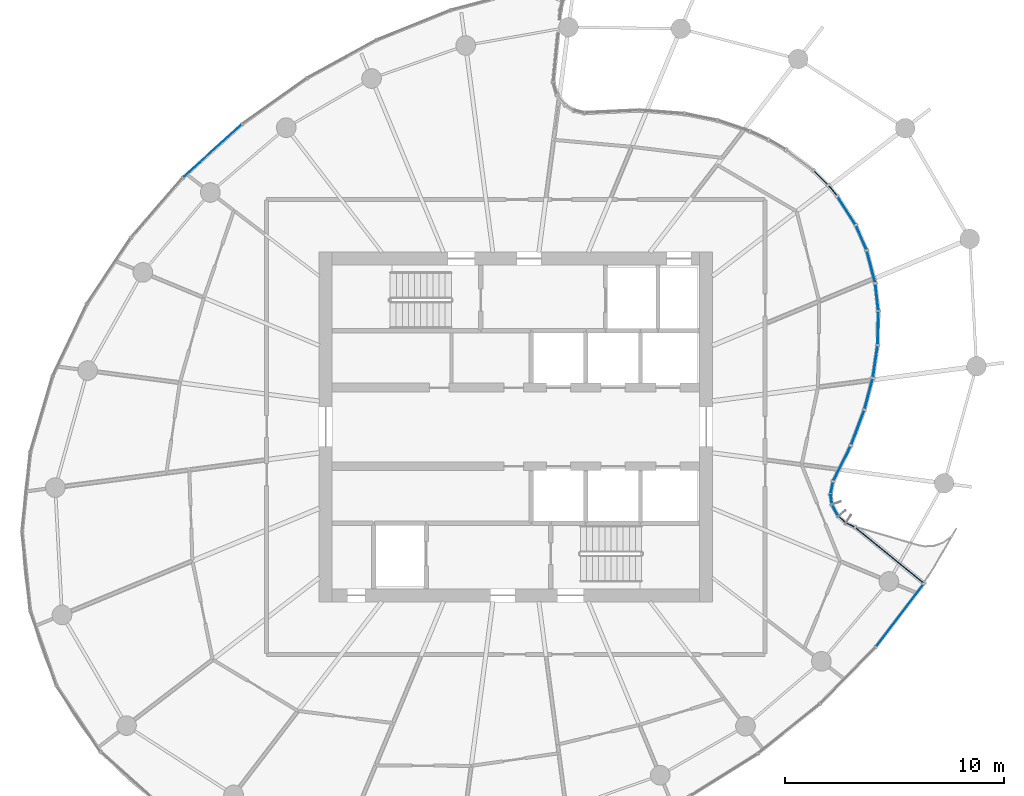
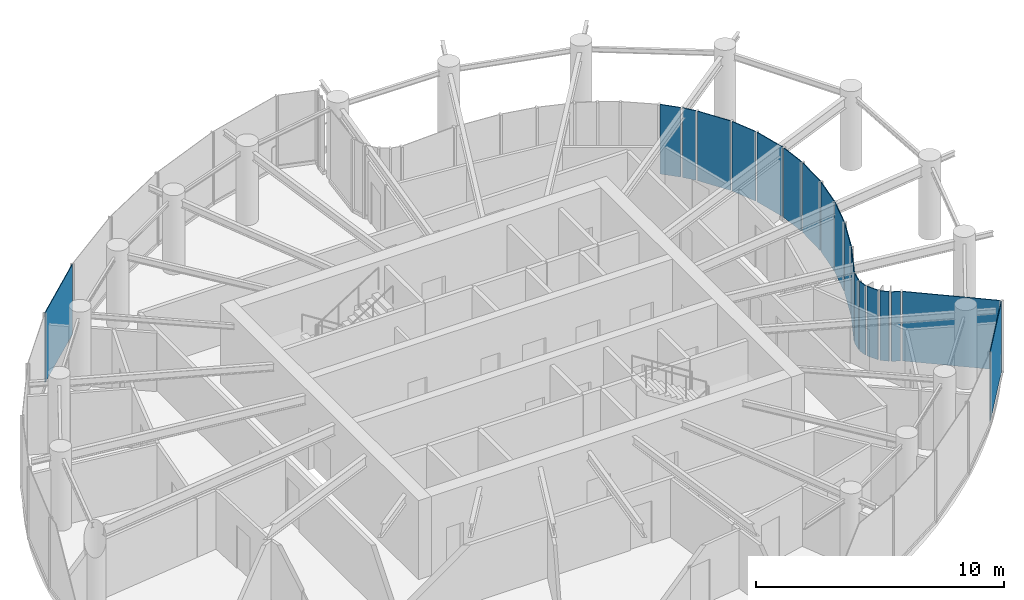
# One storey, part 10 of 17: 19 plates, 5 elements without a shape of their own.
"""IFC4 building model written with IfcOpenShell, lengths in metres."""

from ifc_helpers import new_model, si_unit, direction, frame, origin, origin_2d, place, context, subcontext, project, spatial, rectangle, extrude, source, transform, mapped, material, layer, layer_set, type_object, element, aggregate, save


model = new_model("IFC4")

# Units and contexts
model_context = context("Model", 3, precision=1e-05, world=origin(), true_north=direction((0.0, 1.0)))
body_context = subcontext(model_context, "Body", "Model", "MODEL_VIEW")
ifc_project = project(units=[si_unit("LENGTHUNIT", "METRE"), si_unit("AREAUNIT", "SQUARE_METRE"), si_unit("VOLUMEUNIT", "CUBIC_METRE"), si_unit("PLANEANGLEUNIT", "RADIAN"), si_unit("MASSUNIT", "GRAM", prefix="KILO")], contexts=[model_context])

# Site, building, storey
site_placement = place(None, origin())
site = spatial("IfcSite", under=ifc_project, at=site_placement, CompositionType="ELEMENT")
building_placement = place(site_placement, origin())
building = spatial("IfcBuilding", under=site, at=building_placement, Name="Spindrift Exchange Tower", CompositionType="ELEMENT")
storey_placement = place(building_placement, frame((0.0, 0.0, 187.699951171875)))
storey = spatial("IfcBuildingStorey", under=building, at=storey_placement, Name="L45", CompositionType="ELEMENT", Elevation=187.699951171875)

# Curtain wall, plate
ifc_material_1 = material(Name="Fritted laminated glass with bronze frame", Category="glass")
ifc_layer_1 = layer(ifc_material_1, 0.199951171875)
ifc_layer_set_1 = layer_set([ifc_layer_1], Name="SKY GARDEN BRONZE GLAZED WALL")
curtain_wall_type_1 = type_object("IfcCurtainWallType", Name="SKY GARDEN BRONZE GLAZED WALL", PredefinedType="NOTDEFINED", material=ifc_layer_set_1)
curtain_wall_1_placement = place(storey_placement, origin())
curtain_wall_1 = element("IfcCurtainWall", 1, at=curtain_wall_1_placement, inside=storey, type_object=curtain_wall_type_1, Name="L45 Sky Garden Bronze Glazed Wall run 6", PredefinedType="NOTDEFINED")
ifc_material_2 = material(Name="Bronze tinted laminated glass, clear vision", Category="glass")
ifc_layer_2 = layer(ifc_material_2, 0.0380859375)
ifc_layer_set_2 = layer_set([ifc_layer_2], Name="SKY GARDEN BRONZE GLAZED WALL PANEL CLEAR 1560")
plate_type_1 = type_object("IfcPlateType", Name="SKY GARDEN BRONZE GLAZED WALL PANEL CLEAR 1560", PredefinedType="CURTAIN_PANEL", material=ifc_layer_set_2)
shared_shape_1 = source(origin(), body_context, "Body", "SweptSolid", [
    extrude(rectangle(XDim=3.998779296875, YDim=0.0380859375, at=origin_2d()), origin(), (0.0, 0.0, 1.0), 3.429931640625),
])
plate_1_placement = place(storey_placement, frame((69.08837890625, 42.1279296875, 0.14990234375), z_axis=(0.0, 0.0, 1.0), x_axis=(-0.774226975678, 0.632908042398, 0.0)))
plate_1 = element("IfcPlate", 2, at=plate_1_placement, type_object=plate_type_1, Name="L45 panel CW-G.26", PredefinedType="CURTAIN_PANEL", context=body_context, shape_type="MappedRepresentation", body=[
    mapped(shared_shape_1, transform((0.0, 0.0, 0.0), scale=1.0)),
])

curtain_wall_2_placement = place(storey_placement, origin())
curtain_wall_2 = element("IfcCurtainWall", 3, at=curtain_wall_2_placement, inside=storey, type_object=curtain_wall_type_1, Name="L45 Sky Garden Bronze Glazed Wall run 7", PredefinedType="NOTDEFINED")
ifc_layer_3 = layer(ifc_material_2, 0.0380859375)
ifc_layer_set_3 = layer_set([ifc_layer_3], Name="SKY GARDEN BRONZE GLAZED WALL PANEL CLEAR 1920")
plate_type_2 = type_object("IfcPlateType", Name="SKY GARDEN BRONZE GLAZED WALL PANEL CLEAR 1920", PredefinedType="CURTAIN_PANEL", material=ifc_layer_set_3)
shared_shape_2 = source(origin(), body_context, "Body", "SweptSolid", [
    extrude(rectangle(XDim=1.194091796875, YDim=0.0380859375, at=origin_2d()), origin(), (0.0, 0.0, 1.0), 3.429931640625),
])
plate_2_placement = place(storey_placement, frame((68.50830078125, 53.93701171875, 0.14990234375), z_axis=(0.0, 0.0, 1.0), x_axis=(-0.110088201111, 0.993921821863, 0.0)))
plate_2 = element("IfcPlate", 4, at=plate_2_placement, type_object=plate_type_2, Name="L45 panel CW-G.37", PredefinedType="CURTAIN_PANEL", context=body_context, shape_type="MappedRepresentation", body=[
    mapped(shared_shape_2, transform((0.0, 0.0, 0.0), scale=1.0)),
])

# Plate
shared_shape_3 = source(origin(), body_context, "Body", "SweptSolid", [
    extrude(rectangle(XDim=0.374755859375, YDim=0.0380859375, at=origin_2d()), origin(), (0.0, 0.0, 1.0), 3.429931640625),
])
plate_3_placement = place(storey_placement, frame((66.9169921875, 43.768310546875, 0.14990234375), z_axis=(0.0, 0.0, 1.0), x_axis=(-0.74373780274, 0.66847145098, 0.0)))
plate_3 = element("IfcPlate", 5, at=plate_3_placement, type_object=plate_type_1, Name="L45 panel CW-G.28", PredefinedType="CURTAIN_PANEL", context=body_context, shape_type="MappedRepresentation", body=[
    mapped(shared_shape_3, transform((0.0, 0.0, 0.0), scale=1.0)),
])

plate_4_placement = place(storey_placement, frame((66.425537109375, 44.68359375, 0.14990234375), z_axis=(0.0, 0.0, 1.0), x_axis=(-0.146626887329, 0.98919187012, 0.0)))
plate_4 = element("IfcPlate", 6, at=plate_4_placement, type_object=plate_type_1, Name="L45 panel CW-G.30", PredefinedType="CURTAIN_PANEL", context=body_context, shape_type="MappedRepresentation", body=[
    mapped(shared_shape_3, transform((0.0, 0.0, 0.0), scale=1.0)),
])

shared_shape_4 = source(origin(), body_context, "Body", "SweptSolid", [
    extrude(rectangle(XDim=0.526123046875, YDim=0.0380859375, at=origin_2d()), origin(), (0.0, 0.0, 1.0), 3.429931640625),
])
plate_5_placement = place(storey_placement, frame((66.45263671875, 45.210205078125, 0.14990234375), z_axis=(0.0, 0.0, 1.0), x_axis=(0.198789821317, 0.980042145492, 0.0)))
plate_5 = element("IfcPlate", 7, at=plate_5_placement, type_object=plate_type_1, Name="L45 panel CW-G.31", PredefinedType="CURTAIN_PANEL", context=body_context, shape_type="MappedRepresentation", body=[
    mapped(shared_shape_4, transform((0.0, 0.0, 0.0), scale=1.0)),
])

# Curtain wall, plate
ifc_layer_4 = layer(ifc_material_1, 0.169921875)
ifc_layer_set_4 = layer_set([ifc_layer_4], Name="ZONE 4 BRONZE FRITTED WALL")
curtain_wall_type_2 = type_object("IfcCurtainWallType", Name="ZONE 4 BRONZE FRITTED WALL", PredefinedType="NOTDEFINED", material=ifc_layer_set_4)
curtain_wall_3_placement = place(storey_placement, origin())
curtain_wall_3 = element("IfcCurtainWall", 8, at=curtain_wall_3_placement, inside=storey, type_object=curtain_wall_type_2, Name="L45 Zone 4 Bronze Fritted Wall run 1", PredefinedType="NOTDEFINED")
ifc_material_3 = material(Name="Bronze fritted laminated glass, open frit", Category="glass")
ifc_layer_5 = layer(ifc_material_3, 0.030029296875)
ifc_layer_set_5 = layer_set([ifc_layer_5], Name="ZONE 4 BRONZE FRITTED WALL PANEL OPEN FRIT 480")
plate_type_3 = type_object("IfcPlateType", Name="ZONE 4 BRONZE FRITTED WALL PANEL OPEN FRIT 480", PredefinedType="CURTAIN_PANEL", material=ifc_layer_set_5)
shared_shape_5 = source(origin(), body_context, "Body", "SweptSolid", [
    extrude(rectangle(XDim=3.577880859375, YDim=0.030029296875, at=origin_2d()), origin(), (0.0, 0.0, 1.0), 3.455078125),
])
plate_6_placement = place(storey_placement, frame((38.125732421875, 60.621337890625, 0.125), z_axis=(0.0, 0.0, 1.0), x_axis=(-0.741905629996, -0.670504314811, 0.0)))
plate_6 = element("IfcPlate", 9, at=plate_6_placement, type_object=plate_type_3, Name="L45 panel CW-4.5", PredefinedType="CURTAIN_PANEL", context=body_context, shape_type="MappedRepresentation", body=[
    mapped(shared_shape_5, transform((0.0, 0.0, 0.0), scale=1.0)),
])
aggregate(curtain_wall_3, [plate_6])

curtain_wall_4_placement = place(storey_placement, origin())
curtain_wall_4 = element("IfcCurtainWall", 10, at=curtain_wall_4_placement, inside=storey, type_object=curtain_wall_type_2, Name="L45 Zone 4 Bronze Fritted Wall run 5", PredefinedType="NOTDEFINED")
shared_shape_6 = source(origin(), body_context, "Body", "SweptSolid", [
    extrude(rectangle(XDim=3.577392578125, YDim=0.030029296875, at=origin_2d()), origin(), (0.0, 0.0, 1.0), 3.455078125),
])
plate_7_placement = place(storey_placement, frame((69.5654296875, 39.38720703125, 0.125), z_axis=(0.0, 0.0, 1.0), x_axis=(0.606031438636, 0.795440692563, 0.0)))
plate_7 = element("IfcPlate", 11, at=plate_7_placement, type_object=plate_type_3, Name="L45 panel CW-4.25", PredefinedType="CURTAIN_PANEL", context=body_context, shape_type="MappedRepresentation", body=[
    mapped(shared_shape_6, transform((0.0, 0.0, 0.0), scale=1.0)),
])
aggregate(curtain_wall_4, [plate_7])

# Plate
shared_shape_7 = source(origin(), body_context, "Body", "SweptSolid", [
    extrude(rectangle(XDim=0.377197265625, YDim=0.0380859375, at=origin_2d()), origin(), (0.0, 0.0, 1.0), 3.429931640625),
])
plate_8_placement = place(storey_placement, frame((67.2978515625, 43.517333984375, 0.14990234375), z_axis=(0.0, 0.0, 1.0), x_axis=(-0.907356808, 0.420361300522, 0.0)))
plate_8 = element("IfcPlate", 12, at=plate_8_placement, type_object=plate_type_2, Name="L45 panel CW-G.27", PredefinedType="CURTAIN_PANEL", context=body_context, shape_type="MappedRepresentation", body=[
    mapped(shared_shape_7, transform((0.0, 0.0, 0.0), scale=1.0)),
])

ifc_layer_6 = layer(ifc_material_2, 0.0380859375)
ifc_layer_set_6 = layer_set([ifc_layer_6], Name="SKY GARDEN BRONZE GLAZED WALL PANEL CLEAR 1200")
plate_type_4 = type_object("IfcPlateType", Name="SKY GARDEN BRONZE GLAZED WALL PANEL CLEAR 1200", PredefinedType="CURTAIN_PANEL", material=ifc_layer_set_6)
shared_shape_8 = source(origin(), body_context, "Body", "SweptSolid", [
    extrude(rectangle(XDim=0.521484375, YDim=0.0380859375, at=origin_2d()), origin(), (0.0, 0.0, 1.0), 3.429931640625),
])
plate_9_placement = place(storey_placement, frame((66.602783203125, 44.18896484375, 0.14990234375), z_axis=(0.0, 0.0, 1.0), x_axis=(-0.473145926767, 0.880984070222, 0.0)))
plate_9 = element("IfcPlate", 13, at=plate_9_placement, type_object=plate_type_4, Name="L45 panel CW-G.29", PredefinedType="CURTAIN_PANEL", context=body_context, shape_type="MappedRepresentation", body=[
    mapped(shared_shape_8, transform((0.0, 0.0, 0.0), scale=1.0)),
])

aggregate(curtain_wall_1, [plate_1, plate_8, plate_3, plate_9, plate_4, plate_5])

shared_shape_9 = source(origin(), body_context, "Body", "SweptSolid", [
    extrude(rectangle(XDim=1.740966796875, YDim=0.0380859375, at=origin_2d()), origin(), (0.0, 0.0, 1.0), 3.429931640625),
])
plate_10_placement = place(storey_placement, frame((66.918701171875, 46.327880859375, 0.14990234375), z_axis=(0.0, 0.0, 1.0), x_axis=(0.443859609955, 0.896096337818, 0.0)))
plate_10 = element("IfcPlate", 14, at=plate_10_placement, type_object=plate_type_4, Name="L45 panel CW-G.32", PredefinedType="CURTAIN_PANEL", context=body_context, shape_type="MappedRepresentation", body=[
    mapped(shared_shape_9, transform((0.0, 0.0, 0.0), scale=1.0)),
])

shared_shape_10 = source(origin(), body_context, "Body", "SweptSolid", [
    extrude(rectangle(XDim=1.664794921875, YDim=0.0380859375, at=origin_2d()), origin(), (0.0, 0.0, 1.0), 3.429931640625),
])
plate_11_placement = place(storey_placement, frame((67.6337890625, 47.96435546875, 0.14990234375), z_axis=(0.0, 0.0, 1.0), x_axis=(0.354183315804, 0.93517601488, 0.0)))
plate_11 = element("IfcPlate", 15, at=plate_11_placement, type_object=plate_type_4, Name="L45 panel CW-G.33", PredefinedType="CURTAIN_PANEL", context=body_context, shape_type="MappedRepresentation", body=[
    mapped(shared_shape_10, transform((0.0, 0.0, 0.0), scale=1.0)),
])

shared_shape_11 = source(origin(), body_context, "Body", "SweptSolid", [
    extrude(rectangle(XDim=1.42041015625, YDim=0.0380859375, at=origin_2d()), origin(), (0.0, 0.0, 1.0), 3.429931640625),
])
plate_12_placement = place(storey_placement, frame((68.134765625, 49.5107421875, 0.14990234375), z_axis=(0.0, 0.0, 1.0), x_axis=(0.253865987847, 0.967239401707, 0.0)))
plate_12 = element("IfcPlate", 16, at=plate_12_placement, type_object=plate_type_2, Name="L45 panel CW-G.34", PredefinedType="CURTAIN_PANEL", context=body_context, shape_type="MappedRepresentation", body=[
    mapped(shared_shape_11, transform((0.0, 0.0, 0.0), scale=1.0)),
])

shared_shape_12 = source(origin(), body_context, "Body", "SweptSolid", [
    extrude(rectangle(XDim=1.435546875, YDim=0.0380859375, at=origin_2d()), origin(), (0.0, 0.0, 1.0), 3.429931640625),
])
plate_13_placement = place(storey_placement, frame((68.436767578125, 50.990966796875, 0.14990234375), z_axis=(0.0, 0.0, 1.0), x_axis=(0.145867199345, 0.989304179793, 0.0)))
plate_13 = element("IfcPlate", 17, at=plate_13_placement, type_object=plate_type_2, Name="L45 panel CW-G.35", PredefinedType="CURTAIN_PANEL", context=body_context, shape_type="MappedRepresentation", body=[
    mapped(shared_shape_12, transform((0.0, 0.0, 0.0), scale=1.0)),
])

shared_shape_13 = source(origin(), body_context, "Body", "SweptSolid", [
    extrude(rectangle(XDim=1.4736328125, YDim=0.0380859375, at=origin_2d()), origin(), (0.0, 0.0, 1.0), 3.429931640625),
])
plate_14_placement = place(storey_placement, frame((68.563232421875, 52.522216796875, 0.14990234375), z_axis=(0.0, 0.0, 1.0), x_axis=(0.019888460773, 0.999802205003, 0.0)))
plate_14 = element("IfcPlate", 18, at=plate_14_placement, type_object=plate_type_1, Name="L45 panel CW-G.36", PredefinedType="CURTAIN_PANEL", context=body_context, shape_type="MappedRepresentation", body=[
    mapped(shared_shape_13, transform((0.0, 0.0, 0.0), scale=1.0)),
])

aggregate(curtain_wall_2, [plate_10, plate_11, plate_12, plate_13, plate_14, plate_2])

# Curtain wall, plates
curtain_wall_5_placement = place(storey_placement, origin())
curtain_wall_5 = element("IfcCurtainWall", 19, at=curtain_wall_5_placement, inside=storey, type_object=curtain_wall_type_1, Name="L45 Sky Garden Bronze Glazed Wall run 8", PredefinedType="NOTDEFINED")
shared_shape_14 = source(origin(), body_context, "Body", "SweptSolid", [
    extrude(rectangle(XDim=1.46533203125, YDim=0.0380859375, at=origin_2d()), origin(), (0.0, 0.0, 1.0), 3.429931640625),
])
plate_15_placement = place(storey_placement, frame((68.243408203125, 55.322998046875, 0.14990234375), z_axis=(0.0, 0.0, 1.0), x_axis=(-0.251116656559, 0.967956830028, 0.0)))
plate_15 = element("IfcPlate", 20, at=plate_15_placement, type_object=plate_type_2, Name="L45 panel CW-G.38", PredefinedType="CURTAIN_PANEL", context=body_context, shape_type="MappedRepresentation", body=[
    mapped(shared_shape_14, transform((0.0, 0.0, 0.0), scale=1.0)),
])
shared_shape_15 = source(origin(), body_context, "Body", "SweptSolid", [
    extrude(rectangle(XDim=1.174560546875, YDim=0.0380859375, at=origin_2d()), origin(), (0.0, 0.0, 1.0), 3.429931640625),
])
plate_16_placement = place(storey_placement, frame((67.79931640625, 56.651611328125, 0.14990234375), z_axis=(0.0, 0.0, 1.0), x_axis=(-0.396035961477, 0.918235001085, 0.0)))
plate_16 = element("IfcPlate", 21, at=plate_16_placement, type_object=plate_type_1, Name="L45 panel CW-G.39", PredefinedType="CURTAIN_PANEL", context=body_context, shape_type="MappedRepresentation", body=[
    mapped(shared_shape_15, transform((0.0, 0.0, 0.0), scale=1.0)),
])
shared_shape_16 = source(origin(), body_context, "Body", "SweptSolid", [
    extrude(rectangle(XDim=1.488525390625, YDim=0.0380859375, at=origin_2d()), origin(), (0.0, 0.0, 1.0), 3.429931640625),
])
plate_17_placement = place(storey_placement, frame((67.1259765625, 57.892578125, 0.14990234375), z_axis=(0.0, 0.0, 1.0), x_axis=(-0.538745788704, 0.842468382287, 0.0)))
plate_17 = element("IfcPlate", 22, at=plate_17_placement, type_object=plate_type_1, Name="L45 panel CW-G.40", PredefinedType="CURTAIN_PANEL", context=body_context, shape_type="MappedRepresentation", body=[
    mapped(shared_shape_16, transform((0.0, 0.0, 0.0), scale=1.0)),
])
shared_shape_17 = source(origin(), body_context, "Body", "SweptSolid", [
    extrude(rectangle(XDim=0.5712890625, YDim=0.0380859375, at=origin_2d()), origin(), (0.0, 0.0, 1.0), 3.429931640625),
])
plate_18_placement = place(storey_placement, frame((66.491455078125, 58.806884765625, 0.14990234375), z_axis=(0.0, 0.0, 1.0), x_axis=(-0.642130906854, 0.766595002895, 0.0)))
plate_18 = element("IfcPlate", 23, at=plate_18_placement, type_object=plate_type_2, Name="L45 panel CW-G.41", PredefinedType="CURTAIN_PANEL", context=body_context, shape_type="MappedRepresentation", body=[
    mapped(shared_shape_17, transform((0.0, 0.0, 0.0), scale=1.0)),
])
shared_shape_18 = source(origin(), body_context, "Body", "SweptSolid", [
    extrude(rectangle(XDim=0.85986328125, YDim=0.0380859375, at=origin_2d()), origin(), (0.0, 0.0, 1.0), 3.429931640625),
])
plate_19_placement = place(storey_placement, frame((65.94580078125, 59.391845703125, 0.14990234375), z_axis=(0.0, 0.0, 1.0), x_axis=(-0.708745041786, 0.705464716158, 0.0)))
plate_19 = element("IfcPlate", 24, at=plate_19_placement, type_object=plate_type_2, Name="L45 panel CW-G.42", PredefinedType="CURTAIN_PANEL", context=body_context, shape_type="MappedRepresentation", body=[
    mapped(shared_shape_18, transform((0.0, 0.0, 0.0), scale=1.0)),
])
aggregate(curtain_wall_5, [plate_15, plate_16, plate_17, plate_18, plate_19])

save(model, "model.ifc")
